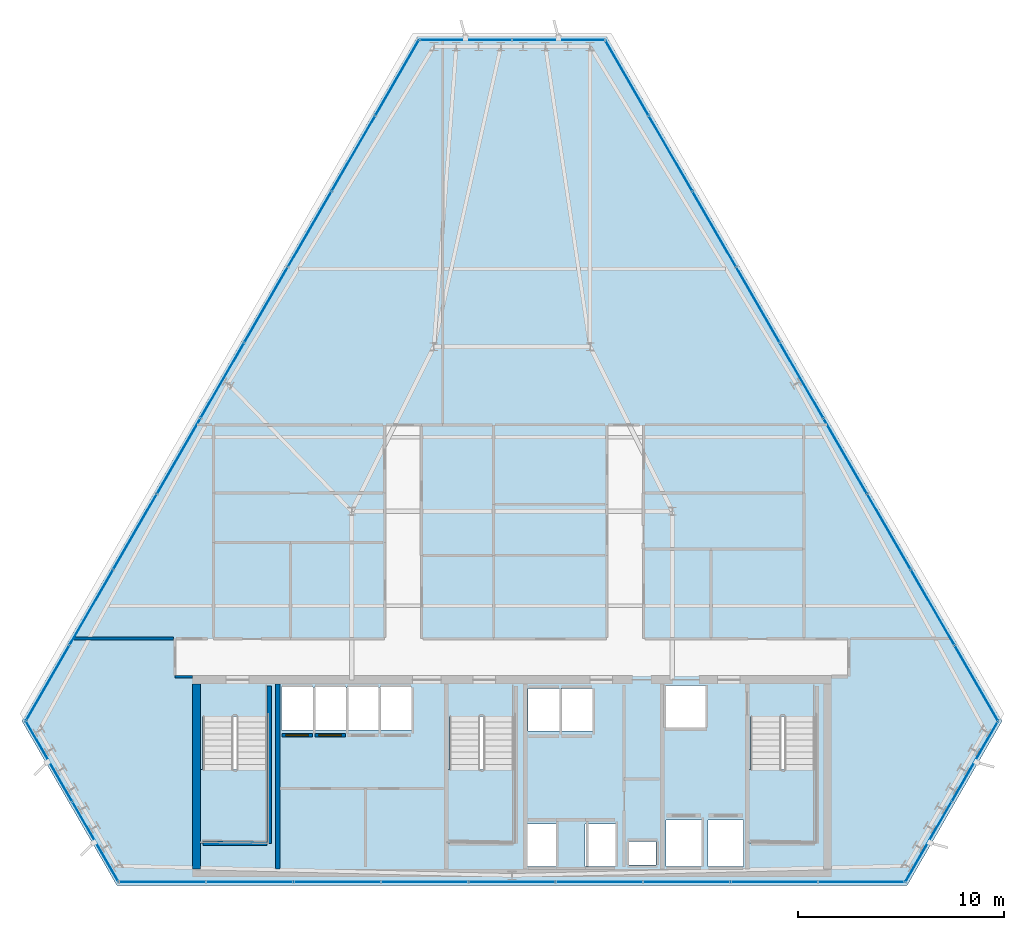
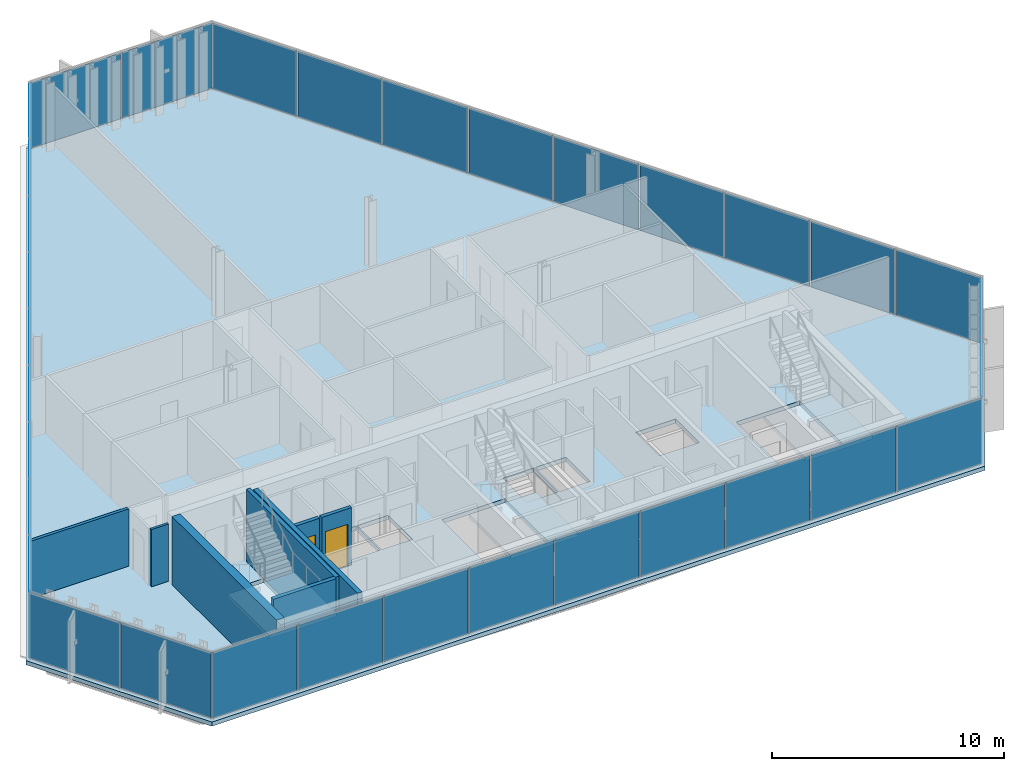
# One storey, part 26 of 34: 33 plates, 8 walls, 4 slabs, 2 doors, 2 openings, 9 elements without a shape of their own.
"""IFC4 building model written with IfcOpenShell, lengths in metres."""

from ifc_helpers import new_model, si_unit, direction, frame, frame_2d, origin, origin_2d, place, context, subcontext, project, spatial, polyline, rectangle, outline, extrude, material, layer, layer_set, type_object, element, fill, aggregate, save


model = new_model("IFC4")

# Units and contexts
model_context = context("Model", 3, precision=1e-05, world=origin(), true_north=direction((0.0, 1.0)))
body_context = subcontext(model_context, "Body", "Model", "MODEL_VIEW")
ifc_project = project(units=[si_unit("LENGTHUNIT", "METRE"), si_unit("AREAUNIT", "SQUARE_METRE"), si_unit("VOLUMEUNIT", "CUBIC_METRE"), si_unit("PLANEANGLEUNIT", "RADIAN"), si_unit("MASSUNIT", "GRAM", prefix="KILO")], contexts=[model_context])

# Site, building, storey
site_placement = place(None, origin())
site = spatial("IfcSite", under=ifc_project, at=site_placement, CompositionType="ELEMENT")
building_placement = place(site_placement, origin())
building = spatial("IfcBuilding", under=site, at=building_placement, Name="Ndaravel Arena Tower", CompositionType="ELEMENT")
storey_placement = place(building_placement, frame((0.0, 0.0, 191.60009765625)))
storey = spatial("IfcBuildingStorey", under=building, at=storey_placement, Name="L46", CompositionType="ELEMENT", Elevation=191.60009765625)

# Curtain wall, plate
ifc_material_1 = material(Name="Aluminium", Category="aluminium")
ifc_layer_1 = layer(ifc_material_1, 0.179931640625)
ifc_layer_set_1 = layer_set([ifc_layer_1], Name="Aluminium")
curtain_wall_type_1 = type_object("IfcCurtainWallType", Name="CW-SYS-01", PredefinedType="NOTDEFINED", material=ifc_layer_set_1)
curtain_wall_1_placement = place(storey_placement, origin())
curtain_wall_1 = element("IfcCurtainWall", 1, at=curtain_wall_1_placement, inside=storey, type_object=curtain_wall_type_1, Name="L46 Faceted Crystal Curtain Wall CW-L46-E02", PredefinedType="NOTDEFINED")
ifc_material_2 = material(Name="Glazing", Category="glass")
ifc_layer_2 = layer(ifc_material_2, 0.035888671875)
ifc_layer_set_2 = layer_set([ifc_layer_2], Name="Glazing")
plate_type_1 = type_object("IfcPlateType", Name="PLT-CW-OPVENT", PredefinedType="CURTAIN_PANEL", material=ifc_layer_set_2)
plate_1_placement = place(storey_placement, frame((64.52099609375, 11.03564453125, 0.059814453125), z_axis=(0.0, 0.0, 1.0), x_axis=(0.5, 0.866025403784, 0.0)))
plate_1 = element("IfcPlate", 2, at=plate_1_placement, type_object=plate_type_1, Name="CW-L46-E02 Operable Vent Sash Panel 02", PredefinedType="CURTAIN_PANEL", context=body_context, shape_type="SweptSolid", body=[
    extrude(rectangle(XDim=4.443115234375, YDim=0.035888671875, at=origin_2d()), origin(), (0.0, 0.0, 1.0), 3.4599609375),
])

curtain_wall_2_placement = place(storey_placement, origin())
curtain_wall_2 = element("IfcCurtainWall", 3, at=curtain_wall_2_placement, inside=storey, type_object=curtain_wall_type_1, Name="L46 Faceted Crystal Curtain Wall CW-L46-E04", PredefinedType="NOTDEFINED")
plate_2_placement = place(storey_placement, frame((39.738525390625, 46.1259765625, 0.059814453125), z_axis=(0.0, 0.0, 1.0), x_axis=(-1.0, 0.0, 0.0)))
plate_2 = element("IfcPlate", 4, at=plate_2_placement, type_object=plate_type_1, Name="CW-L46-E04 Operable Vent Sash Panel 02", PredefinedType="CURTAIN_PANEL", context=body_context, shape_type="SweptSolid", body=[
    extrude(rectangle(XDim=4.443115234375, YDim=0.035888671875, at=origin_2d()), origin(), (0.0, 0.0, 1.0), 3.4599609375),
])

ifc_material_3 = material(Name="Aluminium", Category="aluminium")
ifc_layer_3 = layer(ifc_material_3, 0.179931640625)
ifc_layer_set_3 = layer_set([ifc_layer_3], Name="Aluminium")
curtain_wall_type_2 = type_object("IfcCurtainWallType", Name="CW-SYS-02", PredefinedType="NOTDEFINED", material=ifc_layer_set_3)
curtain_wall_3_placement = place(storey_placement, origin())
curtain_wall_3 = element("IfcCurtainWall", 5, at=curtain_wall_3_placement, inside=storey, type_object=curtain_wall_type_2, Name="L46 Faceted Crystal Curtain Wall CW-L46-E06", PredefinedType="NOTDEFINED")
plate_3_placement = place(storey_placement, frame((21.740478515625, 7.118408203125, 0.059814453125), z_axis=(0.0, 0.0, 1.0), x_axis=(0.5, -0.866025403784, 0.0)))
plate_3 = element("IfcPlate", 6, at=plate_3_placement, type_object=plate_type_1, Name="CW-L46-E06 Operable Vent Sash Panel 02", PredefinedType="CURTAIN_PANEL", context=body_context, shape_type="SweptSolid", body=[
    extrude(rectangle(XDim=4.443115234375, YDim=0.035888671875, at=origin_2d()), origin(), (0.0, 0.0, 1.0), 3.4599609375),
])

# Plate
ifc_material_4 = material(Name="Glazing", Category="glass")
ifc_layer_4 = layer(ifc_material_4, 0.031982421875)
ifc_layer_set_4 = layer_set([ifc_layer_4], Name="Glazing")
plate_type_2 = type_object("IfcPlateType", Name="PLT-GLZ-FRIT35", PredefinedType="CURTAIN_PANEL", material=ifc_layer_set_4)
plate_4_placement = place(storey_placement, frame((62.259521484375, 7.118408203125, 0.059814453125), z_axis=(0.0, 0.0, 1.0), x_axis=(0.5, 0.866025403784, 0.0)))
plate_4 = element("IfcPlate", 7, at=plate_4_placement, type_object=plate_type_2, Name="CW-L46-E02 Vision Glass Panel 01", PredefinedType="CURTAIN_PANEL", context=body_context, shape_type="SweptSolid", body=[
    extrude(rectangle(XDim=4.443115234375, YDim=0.035888671875, at=origin_2d()), origin(), (0.0, 0.0, 1.0), 3.4599609375),
])

aggregate(curtain_wall_1, [plate_4, plate_1])

plate_5_placement = place(storey_placement, frame((44.261474609375, 46.1259765625, 0.059814453125), z_axis=(0.0, 0.0, 1.0), x_axis=(-1.0, 0.0, 0.0)))
plate_5 = element("IfcPlate", 8, at=plate_5_placement, type_object=plate_type_2, Name="CW-L46-E04 Vision Glass Panel 01", PredefinedType="CURTAIN_PANEL", context=body_context, shape_type="SweptSolid", body=[
    extrude(rectangle(XDim=4.443115234375, YDim=0.035888671875, at=origin_2d()), origin(), (0.0, 0.0, 1.0), 3.4599609375),
])

aggregate(curtain_wall_2, [plate_5, plate_2])

ifc_material_5 = material(Name="Glazing", Category="glass")
ifc_layer_5 = layer(ifc_material_5, 0.035888671875)
ifc_layer_set_5 = layer_set([ifc_layer_5], Name="Glazing")
plate_type_3 = type_object("IfcPlateType", Name="PLT-GLZ-FRIT55", PredefinedType="CURTAIN_PANEL", material=ifc_layer_set_5)
plate_6_placement = place(storey_placement, frame((19.47900390625, 11.03564453125, 0.059814453125), z_axis=(0.0, 0.0, 1.0), x_axis=(0.5, -0.866025403784, 0.0)))
plate_6 = element("IfcPlate", 9, at=plate_6_placement, type_object=plate_type_3, Name="CW-L46-E06 Vision Glass Panel 01", PredefinedType="CURTAIN_PANEL", context=body_context, shape_type="SweptSolid", body=[
    extrude(rectangle(XDim=4.443115234375, YDim=0.035888671875, at=origin_2d()), origin(), (0.0, 0.0, 1.0), 3.4599609375),
])

aggregate(curtain_wall_3, [plate_6, plate_3])

# Curtain wall, plates
ifc_material_6 = material(Name="Aluminium", Category="aluminium")
ifc_layer_6 = layer(ifc_material_6, 0.179931640625)
ifc_layer_set_6 = layer_set([ifc_layer_6], Name="Aluminium")
curtain_wall_type_3 = type_object("IfcCurtainWallType", Name="CW-SYS-03", PredefinedType="NOTDEFINED", material=ifc_layer_set_6)
curtain_wall_4_placement = place(storey_placement, origin())
curtain_wall_4 = element("IfcCurtainWall", 10, at=curtain_wall_4_placement, inside=storey, type_object=curtain_wall_type_3, Name="L46 Faceted Crystal Curtain Wall CW-L46-E01", PredefinedType="NOTDEFINED")
ifc_material_7 = material(Name="Glazing", Category="glass")
ifc_layer_7 = layer(ifc_material_7, 0.0400390625)
ifc_layer_set_7 = layer_set([ifc_layer_7], Name="Glazing")
plate_type_4 = type_object("IfcPlateType", Name="PLT-GLZ-LOWIRON", PredefinedType="CURTAIN_PANEL", material=ifc_layer_set_7)
plate_7_placement = place(storey_placement, frame((24.99658203125, 5.159912109375, 0.059814453125), z_axis=(0.0, 0.0, 1.0), x_axis=(1.0, 0.0, 0.0)))
plate_7 = element("IfcPlate", 11, at=plate_7_placement, type_object=plate_type_4, Name="CW-L46-E01 Vision Glass Panel 01", PredefinedType="CURTAIN_PANEL", context=body_context, shape_type="SweptSolid", body=[
    extrude(rectangle(XDim=4.1708984375, YDim=0.035888671875, at=origin_2d()), origin(), (0.0, 0.0, 1.0), 3.4599609375),
])
plate_8_placement = place(storey_placement, frame((29.24755859375, 5.159912109375, 0.059814453125), z_axis=(0.0, 0.0, 1.0), x_axis=(1.0, 0.0, 0.0)))
plate_8 = element("IfcPlate", 12, at=plate_8_placement, type_object=plate_type_4, Name="CW-L46-E01 Vision Glass Panel 02", PredefinedType="CURTAIN_PANEL", context=body_context, shape_type="SweptSolid", body=[
    extrude(rectangle(XDim=4.1708984375, YDim=0.035888671875, at=origin_2d()), origin(), (0.0, 0.0, 1.0), 3.4599609375),
])
plate_9_placement = place(storey_placement, frame((33.498291015625, 5.159912109375, 0.059814453125), z_axis=(0.0, 0.0, 1.0), x_axis=(1.0, 0.0, 0.0)))
plate_9 = element("IfcPlate", 13, at=plate_9_placement, type_object=plate_type_4, Name="CW-L46-E01 Vision Glass Panel 03", PredefinedType="CURTAIN_PANEL", context=body_context, shape_type="SweptSolid", body=[
    extrude(rectangle(XDim=4.1708984375, YDim=0.035888671875, at=origin_2d()), origin(), (0.0, 0.0, 1.0), 3.4599609375),
])
plate_10_placement = place(storey_placement, frame((37.749267578125, 5.159912109375, 0.059814453125), z_axis=(0.0, 0.0, 1.0), x_axis=(1.0, 0.0, 0.0)))
plate_10 = element("IfcPlate", 14, at=plate_10_placement, type_object=plate_type_4, Name="CW-L46-E01 Vision Glass Panel 04", PredefinedType="CURTAIN_PANEL", context=body_context, shape_type="SweptSolid", body=[
    extrude(rectangle(XDim=4.1708984375, YDim=0.035888671875, at=origin_2d()), origin(), (0.0, 0.0, 1.0), 3.4599609375),
])
plate_11_placement = place(storey_placement, frame((42.0, 5.159912109375, 0.059814453125), z_axis=(0.0, 0.0, 1.0), x_axis=(1.0, 0.0, 0.0)))
plate_11 = element("IfcPlate", 15, at=plate_11_placement, type_object=plate_type_4, Name="CW-L46-E01 Vision Glass Panel 05", PredefinedType="CURTAIN_PANEL", context=body_context, shape_type="SweptSolid", body=[
    extrude(rectangle(XDim=4.1708984375, YDim=0.035888671875, at=origin_2d()), origin(), (0.0, 0.0, 1.0), 3.4599609375),
])
plate_12_placement = place(storey_placement, frame((46.250732421875, 5.159912109375, 0.059814453125), z_axis=(0.0, 0.0, 1.0), x_axis=(1.0, 0.0, 0.0)))
plate_12 = element("IfcPlate", 16, at=plate_12_placement, type_object=plate_type_4, Name="CW-L46-E01 Vision Glass Panel 06", PredefinedType="CURTAIN_PANEL", context=body_context, shape_type="SweptSolid", body=[
    extrude(rectangle(XDim=4.1708984375, YDim=0.035888671875, at=origin_2d()), origin(), (0.0, 0.0, 1.0), 3.4599609375),
])
plate_13_placement = place(storey_placement, frame((50.501708984375, 5.159912109375, 0.059814453125), z_axis=(0.0, 0.0, 1.0), x_axis=(1.0, 0.0, 0.0)))
plate_13 = element("IfcPlate", 17, at=plate_13_placement, type_object=plate_type_4, Name="CW-L46-E01 Vision Glass Panel 07", PredefinedType="CURTAIN_PANEL", context=body_context, shape_type="SweptSolid", body=[
    extrude(rectangle(XDim=4.1708984375, YDim=0.035888671875, at=origin_2d()), origin(), (0.0, 0.0, 1.0), 3.4599609375),
])
plate_14_placement = place(storey_placement, frame((54.75244140625, 5.159912109375, 0.059814453125), z_axis=(0.0, 0.0, 1.0), x_axis=(1.0, 0.0, 0.0)))
plate_14 = element("IfcPlate", 18, at=plate_14_placement, type_object=plate_type_4, Name="CW-L46-E01 Vision Glass Panel 08", PredefinedType="CURTAIN_PANEL", context=body_context, shape_type="SweptSolid", body=[
    extrude(rectangle(XDim=4.1708984375, YDim=0.035888671875, at=origin_2d()), origin(), (0.0, 0.0, 1.0), 3.4599609375),
])
plate_15_placement = place(storey_placement, frame((59.00341796875, 5.159912109375, 0.059814453125), z_axis=(0.0, 0.0, 1.0), x_axis=(1.0, 0.0, 0.0)))
plate_15 = element("IfcPlate", 19, at=plate_15_placement, type_object=plate_type_4, Name="CW-L46-E01 Vision Glass Panel 09", PredefinedType="CURTAIN_PANEL", context=body_context, shape_type="SweptSolid", body=[
    extrude(rectangle(XDim=4.1708984375, YDim=0.035888671875, at=origin_2d()), origin(), (0.0, 0.0, 1.0), 3.4599609375),
])
aggregate(curtain_wall_4, [plate_7, plate_8, plate_9, plate_10, plate_11, plate_12, plate_13, plate_14, plate_15])

curtain_wall_5_placement = place(storey_placement, origin())
curtain_wall_5 = element("IfcCurtainWall", 20, at=curtain_wall_5_placement, inside=storey, type_object=curtain_wall_type_3, Name="L46 Faceted Crystal Curtain Wall CW-L46-E03", PredefinedType="NOTDEFINED")
plate_16_placement = place(storey_placement, frame((64.589111328125, 14.834716796875, 0.059814453125), z_axis=(0.0, 0.0, 1.0), x_axis=(-0.5, 0.866025403784, 0.0)))
plate_16 = element("IfcPlate", 21, at=plate_16_placement, type_object=plate_type_4, Name="CW-L46-E03 Vision Glass Panel 01", PredefinedType="CURTAIN_PANEL", context=body_context, shape_type="SweptSolid", body=[
    extrude(rectangle(XDim=4.1708984375, YDim=0.035888671875, at=origin_2d()), origin(), (0.0, 0.0, 1.0), 3.4599609375),
])
plate_17_placement = place(storey_placement, frame((62.463623046875, 18.51611328125, 0.059814453125), z_axis=(0.0, 0.0, 1.0), x_axis=(-0.5, 0.866025403784, 0.0)))
plate_17 = element("IfcPlate", 22, at=plate_17_placement, type_object=plate_type_4, Name="CW-L46-E03 Vision Glass Panel 02", PredefinedType="CURTAIN_PANEL", context=body_context, shape_type="SweptSolid", body=[
    extrude(rectangle(XDim=4.1708984375, YDim=0.035888671875, at=origin_2d()), origin(), (0.0, 0.0, 1.0), 3.4599609375),
])
plate_18_placement = place(storey_placement, frame((60.338134765625, 22.197509765625, 0.059814453125), z_axis=(0.0, 0.0, 1.0), x_axis=(-0.5, 0.866025403784, 0.0)))
plate_18 = element("IfcPlate", 23, at=plate_18_placement, type_object=plate_type_4, Name="CW-L46-E03 Vision Glass Panel 03", PredefinedType="CURTAIN_PANEL", context=body_context, shape_type="SweptSolid", body=[
    extrude(rectangle(XDim=4.1708984375, YDim=0.035888671875, at=origin_2d()), origin(), (0.0, 0.0, 1.0), 3.4599609375),
])
plate_19_placement = place(storey_placement, frame((58.212890625, 25.878662109375, 0.059814453125), z_axis=(0.0, 0.0, 1.0), x_axis=(-0.5, 0.866025403784, 0.0)))
plate_19 = element("IfcPlate", 24, at=plate_19_placement, type_object=plate_type_4, Name="CW-L46-E03 Vision Glass Panel 04", PredefinedType="CURTAIN_PANEL", context=body_context, shape_type="SweptSolid", body=[
    extrude(rectangle(XDim=4.1708984375, YDim=0.035888671875, at=origin_2d()), origin(), (0.0, 0.0, 1.0), 3.4599609375),
])
plate_20_placement = place(storey_placement, frame((56.08740234375, 29.56005859375, 0.059814453125), z_axis=(0.0, 0.0, 1.0), x_axis=(-0.5, 0.866025403784, 0.0)))
plate_20 = element("IfcPlate", 25, at=plate_20_placement, type_object=plate_type_4, Name="CW-L46-E03 Vision Glass Panel 05", PredefinedType="CURTAIN_PANEL", context=body_context, shape_type="SweptSolid", body=[
    extrude(rectangle(XDim=4.1708984375, YDim=0.035888671875, at=origin_2d()), origin(), (0.0, 0.0, 1.0), 3.4599609375),
])
plate_21_placement = place(storey_placement, frame((53.9619140625, 33.241455078125, 0.059814453125), z_axis=(0.0, 0.0, 1.0), x_axis=(-0.5, 0.866025403784, 0.0)))
plate_21 = element("IfcPlate", 26, at=plate_21_placement, type_object=plate_type_4, Name="CW-L46-E03 Vision Glass Panel 06", PredefinedType="CURTAIN_PANEL", context=body_context, shape_type="SweptSolid", body=[
    extrude(rectangle(XDim=4.1708984375, YDim=0.035888671875, at=origin_2d()), origin(), (0.0, 0.0, 1.0), 3.4599609375),
])
plate_22_placement = place(storey_placement, frame((51.83642578125, 36.922607421875, 0.059814453125), z_axis=(0.0, 0.0, 1.0), x_axis=(-0.5, 0.866025403784, 0.0)))
plate_22 = element("IfcPlate", 27, at=plate_22_placement, type_object=plate_type_4, Name="CW-L46-E03 Vision Glass Panel 07", PredefinedType="CURTAIN_PANEL", context=body_context, shape_type="SweptSolid", body=[
    extrude(rectangle(XDim=4.1708984375, YDim=0.035888671875, at=origin_2d()), origin(), (0.0, 0.0, 1.0), 3.4599609375),
])
plate_23_placement = place(storey_placement, frame((49.711181640625, 40.60400390625, 0.059814453125), z_axis=(0.0, 0.0, 1.0), x_axis=(-0.5, 0.866025403784, 0.0)))
plate_23 = element("IfcPlate", 28, at=plate_23_placement, type_object=plate_type_4, Name="CW-L46-E03 Vision Glass Panel 08", PredefinedType="CURTAIN_PANEL", context=body_context, shape_type="SweptSolid", body=[
    extrude(rectangle(XDim=4.1708984375, YDim=0.035888671875, at=origin_2d()), origin(), (0.0, 0.0, 1.0), 3.4599609375),
])
plate_24_placement = place(storey_placement, frame((47.585693359375, 44.285400390625, 0.059814453125), z_axis=(0.0, 0.0, 1.0), x_axis=(-0.5, 0.866025403784, 0.0)))
plate_24 = element("IfcPlate", 29, at=plate_24_placement, type_object=plate_type_4, Name="CW-L46-E03 Vision Glass Panel 09", PredefinedType="CURTAIN_PANEL", context=body_context, shape_type="SweptSolid", body=[
    extrude(rectangle(XDim=4.1708984375, YDim=0.035888671875, at=origin_2d()), origin(), (0.0, 0.0, 1.0), 3.4599609375),
])
aggregate(curtain_wall_5, [plate_16, plate_17, plate_18, plate_19, plate_20, plate_21, plate_22, plate_23, plate_24])

curtain_wall_6_placement = place(storey_placement, origin())
curtain_wall_6 = element("IfcCurtainWall", 30, at=curtain_wall_6_placement, inside=storey, type_object=curtain_wall_type_3, Name="L46 Faceted Crystal Curtain Wall CW-L46-E05", PredefinedType="NOTDEFINED")
plate_25_placement = place(storey_placement, frame((36.414306640625, 44.285400390625, 0.059814453125), z_axis=(0.0, 0.0, 1.0), x_axis=(-0.5, -0.866025403784, 0.0)))
plate_25 = element("IfcPlate", 31, at=plate_25_placement, type_object=plate_type_4, Name="CW-L46-E05 Vision Glass Panel 01", PredefinedType="CURTAIN_PANEL", context=body_context, shape_type="SweptSolid", body=[
    extrude(rectangle(XDim=4.1708984375, YDim=0.035888671875, at=origin_2d()), origin(), (0.0, 0.0, 1.0), 3.4599609375),
])
plate_26_placement = place(storey_placement, frame((34.288818359375, 40.60400390625, 0.059814453125), z_axis=(0.0, 0.0, 1.0), x_axis=(-0.5, -0.866025403784, 0.0)))
plate_26 = element("IfcPlate", 32, at=plate_26_placement, type_object=plate_type_4, Name="CW-L46-E05 Vision Glass Panel 02", PredefinedType="CURTAIN_PANEL", context=body_context, shape_type="SweptSolid", body=[
    extrude(rectangle(XDim=4.1708984375, YDim=0.035888671875, at=origin_2d()), origin(), (0.0, 0.0, 1.0), 3.4599609375),
])
plate_27_placement = place(storey_placement, frame((32.16357421875, 36.922607421875, 0.059814453125), z_axis=(0.0, 0.0, 1.0), x_axis=(-0.5, -0.866025403784, 0.0)))
plate_27 = element("IfcPlate", 33, at=plate_27_placement, type_object=plate_type_4, Name="CW-L46-E05 Vision Glass Panel 03", PredefinedType="CURTAIN_PANEL", context=body_context, shape_type="SweptSolid", body=[
    extrude(rectangle(XDim=4.1708984375, YDim=0.035888671875, at=origin_2d()), origin(), (0.0, 0.0, 1.0), 3.4599609375),
])
plate_28_placement = place(storey_placement, frame((30.0380859375, 33.241455078125, 0.059814453125), z_axis=(0.0, 0.0, 1.0), x_axis=(-0.5, -0.866025403784, 0.0)))
plate_28 = element("IfcPlate", 34, at=plate_28_placement, type_object=plate_type_4, Name="CW-L46-E05 Vision Glass Panel 04", PredefinedType="CURTAIN_PANEL", context=body_context, shape_type="SweptSolid", body=[
    extrude(rectangle(XDim=4.1708984375, YDim=0.035888671875, at=origin_2d()), origin(), (0.0, 0.0, 1.0), 3.4599609375),
])
plate_29_placement = place(storey_placement, frame((27.91259765625, 29.56005859375, 0.059814453125), z_axis=(0.0, 0.0, 1.0), x_axis=(-0.5, -0.866025403784, 0.0)))
plate_29 = element("IfcPlate", 35, at=plate_29_placement, type_object=plate_type_4, Name="CW-L46-E05 Vision Glass Panel 05", PredefinedType="CURTAIN_PANEL", context=body_context, shape_type="SweptSolid", body=[
    extrude(rectangle(XDim=4.1708984375, YDim=0.035888671875, at=origin_2d()), origin(), (0.0, 0.0, 1.0), 3.4599609375),
])
plate_30_placement = place(storey_placement, frame((25.787109375, 25.878662109375, 0.059814453125), z_axis=(0.0, 0.0, 1.0), x_axis=(-0.5, -0.866025403784, 0.0)))
plate_30 = element("IfcPlate", 36, at=plate_30_placement, type_object=plate_type_4, Name="CW-L46-E05 Vision Glass Panel 06", PredefinedType="CURTAIN_PANEL", context=body_context, shape_type="SweptSolid", body=[
    extrude(rectangle(XDim=4.1708984375, YDim=0.035888671875, at=origin_2d()), origin(), (0.0, 0.0, 1.0), 3.4599609375),
])
plate_31_placement = place(storey_placement, frame((23.661865234375, 22.197509765625, 0.059814453125), z_axis=(0.0, 0.0, 1.0), x_axis=(-0.5, -0.866025403784, 0.0)))
plate_31 = element("IfcPlate", 37, at=plate_31_placement, type_object=plate_type_4, Name="CW-L46-E05 Vision Glass Panel 07", PredefinedType="CURTAIN_PANEL", context=body_context, shape_type="SweptSolid", body=[
    extrude(rectangle(XDim=4.1708984375, YDim=0.035888671875, at=origin_2d()), origin(), (0.0, 0.0, 1.0), 3.4599609375),
])
plate_32_placement = place(storey_placement, frame((21.536376953125, 18.51611328125, 0.059814453125), z_axis=(0.0, 0.0, 1.0), x_axis=(-0.5, -0.866025403784, 0.0)))
plate_32 = element("IfcPlate", 38, at=plate_32_placement, type_object=plate_type_4, Name="CW-L46-E05 Vision Glass Panel 08", PredefinedType="CURTAIN_PANEL", context=body_context, shape_type="SweptSolid", body=[
    extrude(rectangle(XDim=4.1708984375, YDim=0.035888671875, at=origin_2d()), origin(), (0.0, 0.0, 1.0), 3.4599609375),
])
plate_33_placement = place(storey_placement, frame((19.410888671875, 14.834716796875, 0.059814453125), z_axis=(0.0, 0.0, 1.0), x_axis=(-0.5, -0.866025403784, 0.0)))
plate_33 = element("IfcPlate", 39, at=plate_33_placement, type_object=plate_type_4, Name="CW-L46-E05 Vision Glass Panel 09", PredefinedType="CURTAIN_PANEL", context=body_context, shape_type="SweptSolid", body=[
    extrude(rectangle(XDim=4.1708984375, YDim=0.035888671875, at=origin_2d()), origin(), (0.0, 0.0, 1.0), 3.4599609375),
])
aggregate(curtain_wall_6, [plate_25, plate_26, plate_27, plate_28, plate_29, plate_30, plate_31, plate_32, plate_33])

# Stair, slab
ifc_material_8 = material(Name="Concrete C40/50", Category="concrete")
stair_type = type_object("IfcStairType", Name="STAIR-CORE-HT", PredefinedType="HALF_TURN_STAIR", material=ifc_material_8)
stair_1_placement = place(storey_placement, origin())
stair_1 = element("IfcStair", 40, at=stair_1_placement, inside=storey, type_object=stair_type, Name="L46 ST-1", PredefinedType="HALF_TURN_STAIR")
ifc_material_9 = material(Name="Concrete C40/50", Category="concrete")
ifc_layer_8 = layer(ifc_material_9, 0.199951171875)
ifc_layer_set_8 = layer_set([ifc_layer_8], Name="Concrete C40/50")
slab_type_1 = type_object("IfcSlabType", Name="SLAB-STAIR-LANDING", PredefinedType="LANDING", material=ifc_layer_set_8)
slab_1_placement = place(storey_placement, frame((0.0, 0.0, 1.699951171875)))
slab_1 = element("IfcSlab", 41, at=slab_1_placement, type_object=slab_type_1, Name="ST-1 landing 1", PredefinedType="LANDING", context=body_context, shape_type="SweptSolid", body=[
    extrude(outline(polyline([(26.81005859375, 10.6298828125), (26.81005859375, 7.070068359375), (30.169921875, 7.070068359375), (30.169921875, 10.6298828125), (26.81005859375, 10.6298828125)])), origin(), (0.0, 0.0, 1.0), 0.199951171875),
])
aggregate(stair_1, [slab_1])

stair_2_placement = place(storey_placement, origin())
stair_2 = element("IfcStair", 42, at=stair_2_placement, inside=storey, type_object=stair_type, Name="L46 ST-2", PredefinedType="HALF_TURN_STAIR")
slab_2_placement = place(storey_placement, frame((0.0, 0.0, 1.699951171875)))
slab_2 = element("IfcSlab", 43, at=slab_2_placement, type_object=slab_type_1, Name="ST-2 landing 1", PredefinedType="LANDING", context=body_context, shape_type="SweptSolid", body=[
    extrude(outline(polyline([(38.81005859375, 10.6298828125), (38.81005859375, 7.070068359375), (42.169921875, 7.070068359375), (42.169921875, 10.6298828125), (38.81005859375, 10.6298828125)])), origin(), (0.0, 0.0, 1.0), 0.199951171875),
])
aggregate(stair_2, [slab_2])

stair_3_placement = place(storey_placement, origin())
stair_3 = element("IfcStair", 44, at=stair_3_placement, inside=storey, type_object=stair_type, Name="L46 ST-3", PredefinedType="HALF_TURN_STAIR")
slab_3_placement = place(storey_placement, frame((0.0, 0.0, 1.699951171875)))
slab_3 = element("IfcSlab", 45, at=slab_3_placement, type_object=slab_type_1, Name="ST-3 landing 1", PredefinedType="LANDING", context=body_context, shape_type="SweptSolid", body=[
    extrude(outline(polyline([(53.4599609375, 10.6298828125), (53.4599609375, 7.070068359375), (56.820068359375, 7.070068359375), (56.820068359375, 10.6298828125), (53.4599609375, 10.6298828125)])), origin(), (0.0, 0.0, 1.0), 0.199951171875),
])
aggregate(stair_3, [slab_3])

# Slab
ifc_material_10 = material(Name="Concrete C40/50", Category="concrete")
ifc_layer_9 = layer(ifc_material_10, 0.219970703125)
ifc_layer_set_9 = layer_set([ifc_layer_9], Name="Concrete C40/50")
slab_type_2 = type_object("IfcSlabType", Name="SLAB-TWR-220", PredefinedType="FLOOR", material=ifc_layer_set_9)
slab_4_placement = place(storey_placement, frame((0.0, 0.0, -0.22021484375)))
element("IfcSlab", 46, at=slab_4_placement, inside=storey, type_object=slab_type_2, Name="L46 Structural Floor Slab", PredefinedType="FLOOR", context=body_context, shape_type="SweptSolid", body=[
    extrude(outline(polyline([(18.16357421875, 12.994140625), (22.77880859375, 5.0), (61.22119140625, 5.0), (65.83642578125, 12.994140625), (46.615478515625, 46.285888671875), (37.384521484375, 46.285888671875), (18.16357421875, 12.994140625)]), holes=[polyline([(26.949951171875, 13.215087890625), (26.949951171875, 7.14990234375), (30.090087890625, 7.14990234375), (30.090087890625, 13.215087890625), (26.949951171875, 13.215087890625)]), polyline([(38.949951171875, 13.215087890625), (38.949951171875, 7.14990234375), (42.090087890625, 7.14990234375), (42.090087890625, 13.215087890625), (38.949951171875, 13.215087890625)]), polyline([(53.60009765625, 13.215087890625), (53.60009765625, 7.14990234375), (56.739990234375, 7.14990234375), (56.739990234375, 13.215087890625), (53.60009765625, 13.215087890625)]), polyline([(30.784912109375, 12.56005859375), (32.31494140625, 12.56005859375), (32.31494140625, 14.639892578125), (30.784912109375, 14.639892578125), (30.784912109375, 12.56005859375)]), polyline([(32.385009765625, 12.56005859375), (33.9150390625, 12.56005859375), (33.9150390625, 14.639892578125), (32.385009765625, 14.639892578125), (32.385009765625, 12.56005859375)]), polyline([(33.985107421875, 12.56005859375), (35.514892578125, 12.56005859375), (35.514892578125, 14.639892578125), (33.985107421875, 14.639892578125), (33.985107421875, 12.56005859375)]), polyline([(35.5849609375, 12.56005859375), (37.114990234375, 12.56005859375), (37.114990234375, 14.639892578125), (35.5849609375, 14.639892578125), (35.5849609375, 12.56005859375)]), polyline([(42.659912109375, 5.909912109375), (44.139892578125, 5.909912109375), (44.139892578125, 7.989990234375), (42.659912109375, 7.989990234375), (42.659912109375, 5.909912109375)]), polyline([(45.56005859375, 5.909912109375), (47.0400390625, 5.909912109375), (47.0400390625, 7.989990234375), (45.56005859375, 7.989990234375), (45.56005859375, 5.909912109375)]), polyline([(42.784912109375, 12.510009765625), (44.31494140625, 12.510009765625), (44.31494140625, 14.590087890625), (42.784912109375, 14.590087890625), (42.784912109375, 12.510009765625)]), polyline([(44.385009765625, 12.510009765625), (45.9150390625, 12.510009765625), (45.9150390625, 14.590087890625), (44.385009765625, 14.590087890625), (44.385009765625, 12.510009765625)]), polyline([(49.485107421875, 5.909912109375), (51.215087890625, 5.909912109375), (51.215087890625, 8.18994140625), (49.485107421875, 8.18994140625), (49.485107421875, 5.909912109375)]), polyline([(51.534912109375, 5.909912109375), (53.264892578125, 5.909912109375), (53.264892578125, 8.18994140625), (51.534912109375, 8.18994140625), (51.534912109375, 5.909912109375)]), polyline([(49.4599609375, 12.68505859375), (51.43994140625, 12.68505859375), (51.43994140625, 14.715087890625), (49.4599609375, 14.715087890625), (49.4599609375, 12.68505859375)]), polyline([(47.699951171875, 6.0), (49.0, 6.0), (49.0, 7.139892578125), (47.699951171875, 7.139892578125), (47.699951171875, 6.0)])]), origin(), (0.0, 0.0, 1.0), 0.22021484375),
])

# Walls
ifc_material_11 = material(Name="Concrete C50/60", Category="concrete")
ifc_layer_10 = layer(ifc_material_11, 0.219970703125)
ifc_layer_set_10 = layer_set([ifc_layer_10], Name="Concrete C50/60")
wall_type_1 = type_object("IfcWallType", Name="WALL-CORE-220", PredefinedType="SOLIDWALL", material=ifc_layer_set_10)
wall_1_placement = place(storey_placement, frame((30.60009765625, 5.800048828125, 0.0), z_axis=(0.0, 0.0, 1.0), x_axis=(0.0, 1.0, 0.0)))
element("IfcWall", 47, at=wall_1_placement, inside=storey, type_object=wall_type_1, Name="L46 Core Web Shear Wall 1", PredefinedType="SOLIDWALL", context=body_context, shape_type="SweptSolid", body=[
    extrude(rectangle(XDim=9.0, YDim=0.219970703125, at=frame_2d((4.5, 0.0))), origin(), (0.0, 0.0, 1.0), 3.579833984375),
])
ifc_material_12 = material(Name="Concrete C50/60", Category="concrete")
ifc_layer_11 = layer(ifc_material_12, 0.39990234375)
ifc_layer_set_11 = layer_set([ifc_layer_11], Name="Concrete C50/60")
wall_type_2 = type_object("IfcWallType", Name="WALL-CORE-400", PredefinedType="SOLIDWALL", material=ifc_layer_set_11)
wall_2_placement = place(storey_placement, frame((26.64990234375, 5.800048828125, 0.0), z_axis=(0.0, 0.0, 1.0), x_axis=(0.0, 1.0, 0.0)))
element("IfcWall", 48, at=wall_2_placement, inside=storey, type_object=wall_type_2, Name="L46 Core West Shear Wall", PredefinedType="SOLIDWALL", context=body_context, shape_type="SweptSolid", body=[
    extrude(rectangle(XDim=9.0, YDim=0.39990234375, at=frame_2d((4.5, 0.0))), origin(), (0.0, 0.0, 1.0), 3.579833984375),
])
ifc_material_13 = material(Name="Gypsum", Category="gypsum")
ifc_layer_12 = layer(ifc_material_13, 0.125)
ifc_layer_set_12 = layer_set([ifc_layer_12], Name="Gypsum")
wall_type_3 = type_object("IfcWallType", Name="WALL-PART-125", PredefinedType="PARTITIONING", material=ifc_layer_set_12)
wall_3_placement = place(storey_placement, frame((26.449951171875, 15.14990234375, 0.0), z_axis=(0.0, 0.0, 1.0), x_axis=(-1.0, 0.0, 0.0)))
element("IfcWall", 49, at=wall_3_placement, inside=storey, type_object=wall_type_3, Name="L46 Interior Partition 003", PredefinedType="PARTITIONING", context=body_context, shape_type="SweptSolid", body=[
    extrude(rectangle(XDim=0.849853515625, YDim=0.125, at=frame_2d((0.4248046875, 0.0))), origin(), (0.0, 0.0, 1.0), 3.010498046875),
])
ifc_material_14 = material(Name="Concrete C40/50", Category="concrete")
ifc_layer_13 = layer(ifc_material_14, 0.199951171875)
ifc_layer_set_13 = layer_set([ifc_layer_13], Name="Concrete C40/50")
wall_type_4 = type_object("IfcWallType", Name="WALL-SHAFT-200", PredefinedType="SOLIDWALL", material=ifc_layer_set_13)
wall_4_placement = place(storey_placement, frame((30.18994140625, 14.699951171875, 0.0), z_axis=(0.0, 0.0, 1.0), x_axis=(0.0, -1.0, 0.0)))
element("IfcWall", 50, at=wall_4_placement, inside=storey, type_object=wall_type_4, Name="L46 ST-1 Structural Shaft Wall Right", PredefinedType="SOLIDWALL", context=body_context, shape_type="SweptSolid", body=[
    extrude(rectangle(XDim=7.64990234375, YDim=0.199951171875, at=frame_2d((3.824951171875, 0.0))), origin(), (0.0, 0.0, 1.0), 3.7998046875),
])
wall_5_placement = place(storey_placement, frame((26.969970703125, 7.050048828125, 0.0), z_axis=(0.0, 0.0, 1.0), x_axis=(1.0, 0.0, 0.0)))
element("IfcWall", 51, at=wall_5_placement, inside=storey, type_object=wall_type_4, Name="L46 ST-1 Structural Shaft Wall Far", PredefinedType="SOLIDWALL", context=body_context, shape_type="SweptSolid", body=[
    extrude(rectangle(XDim=3.114990234375, YDim=0.199951171875, at=frame_2d((1.5576171875, 0.0))), origin(), (0.0, 0.0, 1.0), 3.7998046875),
])

# Wall, opening, door
wall_6_placement = place(storey_placement, frame((30.804931640625, 12.300048828125, 0.0), z_axis=(0.0, 0.0, 1.0), x_axis=(1.0, 0.0, 0.0)))
wall_6 = element("IfcWall", 52, at=wall_6_placement, inside=storey, type_object=wall_type_4, Name="L46 PL-M1 Shaft Landing Wall", PredefinedType="SOLIDWALL", context=body_context, shape_type="SweptSolid", body=[
    extrude(rectangle(XDim=1.489990234375, YDim=0.179931640625, at=frame_2d((0.7451171875, 0.0))), origin(), (0.0, 0.0, 1.0), 3.010498046875),
])
opening_1_placement = place(wall_6_placement, frame((0.195068359375, 0.0, 0.0)))
opening_1 = element("IfcOpeningElement", 53, at=opening_1_placement, cuts=wall_6, Name="Opening LD-01", PredefinedType="OPENING", context=body_context, shape_type="SweptSolid", body=[
    extrude(rectangle(XDim=1.10009765625, YDim=2.199951171875, at=frame_2d((0.550048828125, 1.10009765625))), frame((0.0, 0.08984375, 0.0), z_axis=(0.0, -1.0, 0.0), x_axis=(1.0, 0.0, 0.0)), (0.0, 0.0, 1.0), 0.179931640625),
])
ifc_material_15 = material(Name="Steel S355", Category="steel")
door_type = type_object("IfcDoorType", Name="DT-06-LIFT-1100", OperationType="SLIDING_TO_LEFT", PredefinedType="DOOR", material=ifc_material_15)
door_1_placement = place(opening_1_placement, origin())
door_1 = element("IfcDoor", 54, at=door_1_placement, inside=storey, type_object=door_type, Name="L46 Lift PL-M1 Sliding Landing Door", OperationType="SLIDING_TO_LEFT", OverallHeight=2.199951171875, OverallWidth=1.10009765625, PredefinedType="DOOR", context=body_context, shape_type="SweptSolid", body=[
    extrude(rectangle(XDim=1.10009765625, YDim=2.199951171875, at=frame_2d((0.550048828125, 1.10009765625))), frame((0.0, 0.02490234375, 0.0), z_axis=(0.0, -1.0, 0.0), x_axis=(1.0, 0.0, 0.0)), (0.0, 0.0, 1.0), 0.050048828125),
])
fill(opening_1, door_1)

wall_7_placement = place(storey_placement, frame((32.405029296875, 12.300048828125, 0.0), z_axis=(0.0, 0.0, 1.0), x_axis=(1.0, 0.0, 0.0)))
wall_7 = element("IfcWall", 55, at=wall_7_placement, inside=storey, type_object=wall_type_4, Name="L46 PL-M2 Shaft Landing Wall", PredefinedType="SOLIDWALL", context=body_context, shape_type="SweptSolid", body=[
    extrude(rectangle(XDim=1.489990234375, YDim=0.179931640625, at=frame_2d((0.7451171875, 0.0))), origin(), (0.0, 0.0, 1.0), 3.010498046875),
])
opening_2_placement = place(wall_7_placement, frame((0.195068359375, 0.0, 0.0)))
opening_2 = element("IfcOpeningElement", 56, at=opening_2_placement, cuts=wall_7, Name="Opening LD-01", PredefinedType="OPENING", context=body_context, shape_type="SweptSolid", body=[
    extrude(rectangle(XDim=1.10009765625, YDim=2.199951171875, at=frame_2d((0.550048828125, 1.10009765625))), frame((0.0, 0.08984375, 0.0), z_axis=(0.0, -1.0, 0.0), x_axis=(1.0, 0.0, 0.0)), (0.0, 0.0, 1.0), 0.179931640625),
])
door_2_placement = place(opening_2_placement, origin())
door_2 = element("IfcDoor", 57, at=door_2_placement, inside=storey, type_object=door_type, Name="L46 Lift PL-M2 Sliding Landing Door", OperationType="SLIDING_TO_LEFT", OverallHeight=2.199951171875, OverallWidth=1.10009765625, PredefinedType="DOOR", context=body_context, shape_type="SweptSolid", body=[
    extrude(rectangle(XDim=1.10009765625, YDim=2.199951171875, at=frame_2d((0.550048828125, 1.10009765625))), frame((0.0, 0.02490234375, 0.0), z_axis=(0.0, -1.0, 0.0), x_axis=(1.0, 0.0, 0.0)), (0.0, 0.0, 1.0), 0.050048828125),
])
fill(opening_2, door_2)

# Wall
ifc_material_16 = material(Name="Masonry", Category="masonry")
ifc_layer_14 = layer(ifc_material_16, 0.14990234375)
ifc_layer_set_14 = layer_set([ifc_layer_14], Name="Masonry")
wall_type_5 = type_object("IfcWallType", Name="WALL-WET-150", PredefinedType="PARTITIONING", material=ifc_layer_set_14)
wall_8_placement = place(storey_placement, frame((20.6611328125, 17.0, 0.0), z_axis=(0.0, 0.0, 1.0), x_axis=(1.0, 0.0, 0.0)))
element("IfcWall", 58, at=wall_8_placement, inside=storey, type_object=wall_type_5, Name="L46 Interior Partition 026", PredefinedType="PARTITIONING", context=body_context, shape_type="SweptSolid", body=[
    extrude(rectangle(XDim=4.873779296875, YDim=0.14990234375, at=frame_2d((2.43701171875, 0.0))), origin(), (0.0, 0.0, 1.0), 3.010498046875),
])

save(model, "model.ifc")
